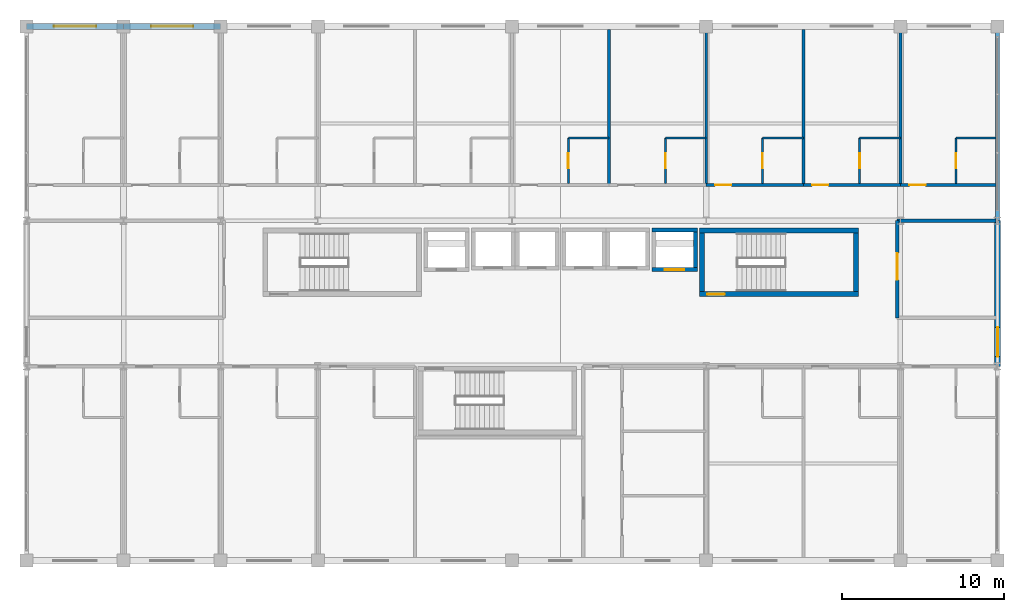
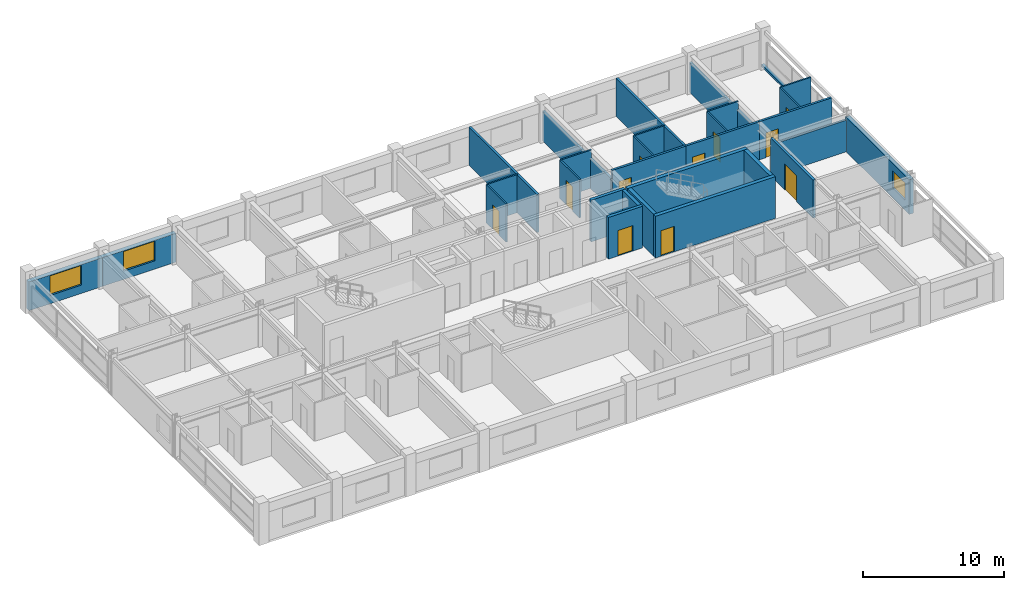
# One storey, part 24 of 26: 30 walls, 11 doors, 3 windows, 14 openings.
"""IFC4 building model written with IfcOpenShell, lengths in metres."""

from ifc_helpers import new_model, si_unit, direction, frame, frame_2d, origin, place, context, subcontext, project, spatial, rectangle, extrude, material, layer, layer_set, type_object, element, fill, save


model = new_model("IFC4")

# Units and contexts
model_context = context("Model", 3, precision=1e-05, world=origin(), true_north=direction((0.0, 1.0)))
body_context = subcontext(model_context, "Body", "Model", "MODEL_VIEW")
ifc_project = project(units=[si_unit("LENGTHUNIT", "METRE"), si_unit("AREAUNIT", "SQUARE_METRE"), si_unit("VOLUMEUNIT", "CUBIC_METRE"), si_unit("PLANEANGLEUNIT", "RADIAN"), si_unit("MASSUNIT", "GRAM", prefix="KILO")], contexts=[model_context])

# Site, building, storey
site_placement = place(None, origin())
site = spatial("IfcSite", under=ifc_project, at=site_placement, CompositionType="ELEMENT")
building_placement = place(site_placement, origin())
building = spatial("IfcBuilding", under=site, at=building_placement, Name="Kaldorvane Square Convention Centre", CompositionType="ELEMENT")
storey_placement = place(building_placement, frame((0.0, 0.0, 45.600006103515625)))
storey = spatial("IfcBuildingStorey", under=building, at=storey_placement, Name="L10", CompositionType="ELEMENT", Elevation=45.600006103515625)

# Wall, opening, door
ifc_material_1 = material(Name="Fire-Rated Gypsum Board on Acoustic Steel Studs", Category="steel")
ifc_layer_1 = layer(ifc_material_1, 0.125)
ifc_layer_set_1 = layer_set([ifc_layer_1], Name="Fire-Rated Gypsum Board on Acoustic Steel Studs")
wall_type_1 = type_object("IfcWallType", Name="WL-BATH-125", PredefinedType="PARTITIONING", material=ifc_layer_set_1)
wall_1_placement = place(storey_placement, frame((57.47999572753906, 107.28999328613281, 0.0), z_axis=(0.0, 0.0, 1.0), x_axis=(0.0, 1.0, 0.0)))
wall_1 = element("IfcWall", 1, at=wall_1_placement, inside=storey, type_object=wall_type_1, Name="En-Suite 1006 West Wall", PredefinedType="PARTITIONING", context=body_context, shape_type="SweptSolid", body=[
    extrude(rectangle(XDim=2.8100128173828125, YDim=0.125, at=frame_2d((1.404998779296875, 0.0))), origin(), (0.0, 0.0, 1.0), 3.2899932861328125),
])
opening_1_placement = place(wall_1_placement, frame((0.9499969482421875, 0.0, 0.0)))
opening_1 = element("IfcOpeningElement", 2, at=opening_1_placement, cuts=wall_1, Name="Opening ID-12", PredefinedType="OPENING", context=body_context, shape_type="SweptSolid", body=[
    extrude(rectangle(XDim=0.9199981689453125, YDim=2.100006103515625, at=frame_2d((0.459991455078125, 1.0500030517578125))), frame((0.0, 0.0774993896484375, 0.0), z_axis=(0.0, -1.0, 0.0), x_axis=(1.0, 0.0, 0.0)), (0.0, 0.0, 1.0), 0.154998779296875),
])
ifc_material_2 = material(Name="Architectural Solid-Core White Oak")
door_type_1 = type_object("IfcDoorType", Name="DR-BATH-0920X2100", OperationType="SINGLE_SWING_RIGHT", PredefinedType="DOOR", material=ifc_material_2)
door_1_placement = place(opening_1_placement, origin())
door_1 = element("IfcDoor", 3, at=door_1_placement, inside=storey, type_object=door_type_1, Name="En-Suite Bathroom 1006 Door", OperationType="SINGLE_SWING_RIGHT", OverallHeight=2.100006103515625, OverallWidth=0.9199981689453125, PredefinedType="DOOR", context=body_context, shape_type="SweptSolid", body=[
    extrude(rectangle(XDim=0.9199981689453125, YDim=2.100006103515625, at=frame_2d((0.459991455078125, 1.0500030517578125))), frame((0.0, 0.024993896484375, 0.0), z_axis=(0.0, -1.0, 0.0), x_axis=(1.0, 0.0, 0.0)), (0.0, 0.0, 1.0), 0.0500030517578125),
])
fill(opening_1, door_1)

# Wall
wall_2_placement = place(storey_placement, frame((57.47999572753906, 110.10000610351562, 0.0), z_axis=(0.0, 0.0, 1.0), x_axis=(1.0, 0.0, 0.0)))
element("IfcWall", 4, at=wall_2_placement, inside=storey, type_object=wall_type_1, Name="En-Suite 1006 North Wall", PredefinedType="PARTITIONING", context=body_context, shape_type="SweptSolid", body=[
    extrude(rectangle(XDim=2.5200042724609375, YDim=0.125, at=frame_2d((1.260009765625, 0.0))), origin(), (0.0, 0.0, 1.0), 3.2899932861328125),
])

# Wall, opening, door
wall_3_placement = place(storey_placement, frame((63.47999572753906, 107.28999328613281, 0.0), z_axis=(0.0, 0.0, 1.0), x_axis=(0.0, 1.0, 0.0)))
wall_3 = element("IfcWall", 5, at=wall_3_placement, inside=storey, type_object=wall_type_1, Name="En-Suite 1007 West Wall", PredefinedType="PARTITIONING", context=body_context, shape_type="SweptSolid", body=[
    extrude(rectangle(XDim=2.8100128173828125, YDim=0.125, at=frame_2d((1.404998779296875, 0.0))), origin(), (0.0, 0.0, 1.0), 3.2899932861328125),
])
opening_2_placement = place(wall_3_placement, frame((0.9499969482421875, 0.0, 0.0)))
opening_2 = element("IfcOpeningElement", 6, at=opening_2_placement, cuts=wall_3, Name="Opening ID-12", PredefinedType="OPENING", context=body_context, shape_type="SweptSolid", body=[
    extrude(rectangle(XDim=0.9199981689453125, YDim=2.100006103515625, at=frame_2d((0.459991455078125, 1.0500030517578125))), frame((0.0, 0.0774993896484375, 0.0), z_axis=(0.0, -1.0, 0.0), x_axis=(1.0, 0.0, 0.0)), (0.0, 0.0, 1.0), 0.154998779296875),
])
door_2_placement = place(opening_2_placement, origin())
door_2 = element("IfcDoor", 7, at=door_2_placement, inside=storey, type_object=door_type_1, Name="En-Suite Bathroom 1007 Door", OperationType="SINGLE_SWING_RIGHT", OverallHeight=2.100006103515625, OverallWidth=0.9199981689453125, PredefinedType="DOOR", context=body_context, shape_type="SweptSolid", body=[
    extrude(rectangle(XDim=0.9199981689453125, YDim=2.100006103515625, at=frame_2d((0.459991455078125, 1.0500030517578125))), frame((0.0, 0.024993896484375, 0.0), z_axis=(0.0, -1.0, 0.0), x_axis=(1.0, 0.0, 0.0)), (0.0, 0.0, 1.0), 0.0500030517578125),
])
fill(opening_2, door_2)

# Wall
wall_4_placement = place(storey_placement, frame((63.47999572753906, 110.10000610351562, 0.0), z_axis=(0.0, 0.0, 1.0), x_axis=(1.0, 0.0, 0.0)))
element("IfcWall", 8, at=wall_4_placement, inside=storey, type_object=wall_type_1, Name="En-Suite 1007 North Wall", PredefinedType="PARTITIONING", context=body_context, shape_type="SweptSolid", body=[
    extrude(rectangle(XDim=2.5200042724609375, YDim=0.125, at=frame_2d((1.260009765625, 0.0))), origin(), (0.0, 0.0, 1.0), 3.2899932861328125),
])

# Wall, opening, door
wall_5_placement = place(storey_placement, frame((69.47999572753906, 107.28999328613281, 0.0), z_axis=(0.0, 0.0, 1.0), x_axis=(0.0, 1.0, 0.0)))
wall_5 = element("IfcWall", 9, at=wall_5_placement, inside=storey, type_object=wall_type_1, Name="En-Suite 1008 West Wall", PredefinedType="PARTITIONING", context=body_context, shape_type="SweptSolid", body=[
    extrude(rectangle(XDim=2.8100128173828125, YDim=0.125, at=frame_2d((1.404998779296875, 0.0))), origin(), (0.0, 0.0, 1.0), 3.2899932861328125),
])
opening_3_placement = place(wall_5_placement, frame((0.9499969482421875, 0.0, 0.0)))
opening_3 = element("IfcOpeningElement", 10, at=opening_3_placement, cuts=wall_5, Name="Opening ID-12", PredefinedType="OPENING", context=body_context, shape_type="SweptSolid", body=[
    extrude(rectangle(XDim=0.9199981689453125, YDim=2.100006103515625, at=frame_2d((0.459991455078125, 1.0500030517578125))), frame((0.0, 0.0774993896484375, 0.0), z_axis=(0.0, -1.0, 0.0), x_axis=(1.0, 0.0, 0.0)), (0.0, 0.0, 1.0), 0.154998779296875),
])
door_3_placement = place(opening_3_placement, origin())
door_3 = element("IfcDoor", 11, at=door_3_placement, inside=storey, type_object=door_type_1, Name="En-Suite Bathroom 1008 Door", OperationType="SINGLE_SWING_RIGHT", OverallHeight=2.100006103515625, OverallWidth=0.9199981689453125, PredefinedType="DOOR", context=body_context, shape_type="SweptSolid", body=[
    extrude(rectangle(XDim=0.9199981689453125, YDim=2.100006103515625, at=frame_2d((0.459991455078125, 1.0500030517578125))), frame((0.0, 0.024993896484375, 0.0), z_axis=(0.0, -1.0, 0.0), x_axis=(1.0, 0.0, 0.0)), (0.0, 0.0, 1.0), 0.0500030517578125),
])
fill(opening_3, door_3)

# Wall
wall_6_placement = place(storey_placement, frame((69.47999572753906, 110.10000610351562, 0.0), z_axis=(0.0, 0.0, 1.0), x_axis=(1.0, 0.0, 0.0)))
element("IfcWall", 12, at=wall_6_placement, inside=storey, type_object=wall_type_1, Name="En-Suite 1008 North Wall", PredefinedType="PARTITIONING", context=body_context, shape_type="SweptSolid", body=[
    extrude(rectangle(XDim=2.5200042724609375, YDim=0.125, at=frame_2d((1.260009765625, 0.0))), origin(), (0.0, 0.0, 1.0), 3.2899932861328125),
])

# Wall, opening, door
wall_7_placement = place(storey_placement, frame((75.47999572753906, 107.28999328613281, 0.0), z_axis=(0.0, 0.0, 1.0), x_axis=(0.0, 1.0, 0.0)))
wall_7 = element("IfcWall", 13, at=wall_7_placement, inside=storey, type_object=wall_type_1, Name="En-Suite 1009 West Wall", PredefinedType="PARTITIONING", context=body_context, shape_type="SweptSolid", body=[
    extrude(rectangle(XDim=2.8100128173828125, YDim=0.125, at=frame_2d((1.404998779296875, 0.0))), origin(), (0.0, 0.0, 1.0), 3.2899932861328125),
])
opening_4_placement = place(wall_7_placement, frame((0.9499969482421875, 0.0, 0.0)))
opening_4 = element("IfcOpeningElement", 14, at=opening_4_placement, cuts=wall_7, Name="Opening ID-12", PredefinedType="OPENING", context=body_context, shape_type="SweptSolid", body=[
    extrude(rectangle(XDim=0.9199981689453125, YDim=2.100006103515625, at=frame_2d((0.459991455078125, 1.0500030517578125))), frame((0.0, 0.0774993896484375, 0.0), z_axis=(0.0, -1.0, 0.0), x_axis=(1.0, 0.0, 0.0)), (0.0, 0.0, 1.0), 0.154998779296875),
])
door_4_placement = place(opening_4_placement, origin())
door_4 = element("IfcDoor", 15, at=door_4_placement, inside=storey, type_object=door_type_1, Name="En-Suite Bathroom 1009 Door", OperationType="SINGLE_SWING_RIGHT", OverallHeight=2.100006103515625, OverallWidth=0.9199981689453125, PredefinedType="DOOR", context=body_context, shape_type="SweptSolid", body=[
    extrude(rectangle(XDim=0.9199981689453125, YDim=2.100006103515625, at=frame_2d((0.459991455078125, 1.0500030517578125))), frame((0.0, 0.024993896484375, 0.0), z_axis=(0.0, -1.0, 0.0), x_axis=(1.0, 0.0, 0.0)), (0.0, 0.0, 1.0), 0.0500030517578125),
])
fill(opening_4, door_4)

# Wall
wall_8_placement = place(storey_placement, frame((75.47999572753906, 110.10000610351562, 0.0), z_axis=(0.0, 0.0, 1.0), x_axis=(1.0, 0.0, 0.0)))
element("IfcWall", 16, at=wall_8_placement, inside=storey, type_object=wall_type_1, Name="En-Suite 1009 North Wall", PredefinedType="PARTITIONING", context=body_context, shape_type="SweptSolid", body=[
    extrude(rectangle(XDim=2.5200042724609375, YDim=0.125, at=frame_2d((1.260009765625, 0.0))), origin(), (0.0, 0.0, 1.0), 3.2899932861328125),
])

# Wall, opening, door
wall_9_placement = place(storey_placement, frame((81.43499755859375, 107.28999328613281, 0.0), z_axis=(0.0, 0.0, 1.0), x_axis=(0.0, 1.0, 0.0)))
wall_9 = element("IfcWall", 17, at=wall_9_placement, inside=storey, type_object=wall_type_1, Name="En-Suite 1010 West Wall", PredefinedType="PARTITIONING", context=body_context, shape_type="SweptSolid", body=[
    extrude(rectangle(XDim=2.8100128173828125, YDim=0.125, at=frame_2d((1.404998779296875, 0.0))), origin(), (0.0, 0.0, 1.0), 3.2899932861328125),
])
opening_5_placement = place(wall_9_placement, frame((0.9499969482421875, 0.0, 0.0)))
opening_5 = element("IfcOpeningElement", 18, at=opening_5_placement, cuts=wall_9, Name="Opening ID-12", PredefinedType="OPENING", context=body_context, shape_type="SweptSolid", body=[
    extrude(rectangle(XDim=0.9199981689453125, YDim=2.100006103515625, at=frame_2d((0.459991455078125, 1.0500030517578125))), frame((0.0, 0.0774993896484375, 0.0), z_axis=(0.0, -1.0, 0.0), x_axis=(1.0, 0.0, 0.0)), (0.0, 0.0, 1.0), 0.154998779296875),
])
door_5_placement = place(opening_5_placement, origin())
door_5 = element("IfcDoor", 19, at=door_5_placement, inside=storey, type_object=door_type_1, Name="En-Suite Bathroom 1010 Door", OperationType="SINGLE_SWING_RIGHT", OverallHeight=2.100006103515625, OverallWidth=0.9199981689453125, PredefinedType="DOOR", context=body_context, shape_type="SweptSolid", body=[
    extrude(rectangle(XDim=0.9199981689453125, YDim=2.100006103515625, at=frame_2d((0.459991455078125, 1.0500030517578125))), frame((0.0, 0.024993896484375, 0.0), z_axis=(0.0, -1.0, 0.0), x_axis=(1.0, 0.0, 0.0)), (0.0, 0.0, 1.0), 0.0500030517578125),
])
fill(opening_5, door_5)

# Walls
wall_10_placement = place(storey_placement, frame((81.43499755859375, 110.10000610351562, 0.0), z_axis=(0.0, 0.0, 1.0), x_axis=(1.0, 0.0, 0.0)))
element("IfcWall", 20, at=wall_10_placement, inside=storey, type_object=wall_type_1, Name="En-Suite 1010 North Wall", PredefinedType="PARTITIONING", context=body_context, shape_type="SweptSolid", body=[
    extrude(rectangle(XDim=2.4799957275390625, YDim=0.125, at=frame_2d((1.239990234375, 0.0))), origin(), (0.0, 0.0, 1.0), 3.2899932861328125),
])
ifc_layer_2 = layer(ifc_material_1, 0.1999969482421875)
ifc_layer_set_2 = layer_set([ifc_layer_2], Name="Fire-Rated Gypsum Board on Acoustic Steel Studs")
wall_type_2 = type_object("IfcWallType", Name="WL-CORR-200", PredefinedType="PARTITIONING", material=ifc_layer_set_2)
wall_11_placement = place(storey_placement, frame((83.91499328613281, 105.0, 0.0), z_axis=(0.0, 0.0, 1.0), x_axis=(-1.0, 0.0, 0.0)))
element("IfcWall", 21, at=wall_11_placement, inside=storey, type_object=wall_type_2, Name="East Square View Lounge (L10) N Wall", PredefinedType="PARTITIONING", context=body_context, shape_type="SweptSolid", body=[
    extrude(rectangle(XDim=6.114990234375, YDim=0.1999969482421875, at=frame_2d((3.0574951171875, 0.0))), origin(), (0.0, 0.0, 1.0), 2.735992431640625),
])

# Wall, opening, door
wall_12_placement = place(storey_placement, frame((77.80000305175781, 105.0, 0.0), z_axis=(0.0, 0.0, 1.0), x_axis=(0.0, -1.0, 0.0)))
wall_12 = element("IfcWall", 22, at=wall_12_placement, inside=storey, type_object=wall_type_2, Name="East Square View Lounge (L10) W Wall", PredefinedType="PARTITIONING", context=body_context, shape_type="SweptSolid", body=[
    extrude(rectangle(XDim=6.0, YDim=0.1999969482421875, at=frame_2d((3.0, 0.0))), origin(), (0.0, 0.0, 1.0), 3.2899932861328125),
])
opening_6_placement = place(wall_12_placement, frame((2.0, 0.0, 0.0)))
opening_6 = element("IfcOpeningElement", 23, at=opening_6_placement, cuts=wall_12, Name="Opening ID-16", PredefinedType="OPENING", context=body_context, shape_type="SweptSolid", body=[
    extrude(rectangle(XDim=1.649993896484375, YDim=2.25, at=frame_2d((0.8249969482421875, 1.125))), frame((0.0, 0.114990234375, 0.0), z_axis=(0.0, -1.0, 0.0), x_axis=(1.0, 0.0, 0.0)), (0.0, 0.0, 1.0), 0.2299957275390625),
])
ifc_material_3 = material(Name="Acoustic Laminated Glass in Aluminum Frame", Category="aluminium")
door_type_2 = type_object("IfcDoorType", Name="DR-GL-1650X2250", OperationType="DOUBLE_DOOR_SINGLE_SWING", PredefinedType="DOOR", material=ifc_material_3)
door_6_placement = place(opening_6_placement, origin())
door_6 = element("IfcDoor", 24, at=door_6_placement, inside=storey, type_object=door_type_2, Name="East Square View Lounge (L10) Door 1", OperationType="DOUBLE_DOOR_SINGLE_SWING", OverallHeight=2.25, OverallWidth=1.649993896484375, PredefinedType="DOOR", context=body_context, shape_type="SweptSolid", body=[
    extrude(rectangle(XDim=1.649993896484375, YDim=2.25, at=frame_2d((0.8249969482421875, 1.125))), frame((0.0, 0.024993896484375, 0.0), z_axis=(0.0, -1.0, 0.0), x_axis=(1.0, 0.0, 0.0)), (0.0, 0.0, 1.0), 0.0500030517578125),
])
fill(opening_6, door_6)

# Wall, opening, window
ifc_material_4 = material(Name="Concrete f'c = 42 MPa (Normalweight)", Category="concrete")
ifc_layer_3 = layer(ifc_material_4, 0.350006103515625)
ifc_layer_set_3 = layer_set([ifc_layer_3], Name="Concrete f'c = 42 MPa (Normalweight)")
wall_type_3 = type_object("IfcWallType", Name="WL-EXT-350", PredefinedType="STANDARD", material=ifc_layer_set_3)
wall_13_placement = place(storey_placement, frame((30.0, 117.0, 0.0), z_axis=(0.0, 0.0, 1.0), x_axis=(-1.0, 0.0, 0.0)))
wall_13 = element("IfcWall", 25, at=wall_13_placement, inside=storey, type_object=wall_type_3, Name="Hotel N Brutalist Facade Wall (L10)", PredefinedType="STANDARD", context=body_context, shape_type="SweptSolid", body=[
    extrude(rectangle(XDim=6.0, YDim=0.350006103515625, at=frame_2d((3.0, 0.0))), origin(), (0.0, 0.0, 1.0), 2.485992431640625),
])
opening_7_placement = place(wall_13_placement, frame((1.6999969482421875, 0.0, 0.720001220703125)))
opening_7 = element("IfcOpeningElement", 26, at=opening_7_placement, cuts=wall_13, Name="Opening W-05", PredefinedType="OPENING", context=body_context, shape_type="SweptSolid", body=[
    extrude(rectangle(XDim=2.600006103515625, YDim=1.69000244140625, at=frame_2d((1.3000030517578125, 0.845001220703125))), frame((0.0, 0.19000244140625, 0.0), z_axis=(0.0, -1.0, 0.0), x_axis=(1.0, 0.0, 0.0)), (0.0, 0.0, 1.0), 0.3800048828125),
])
ifc_material_5 = material(Name="Anodized Aluminum and Low-E Insulated Glazing", Category="aluminium")
window_type_1 = type_object("IfcWindowType", Name="WN-HTL-2600X1700", PartitioningType="DOUBLE_PANEL_VERTICAL", PredefinedType="WINDOW", material=ifc_material_5)
window_1_placement = place(opening_7_placement, origin())
window_1 = element("IfcWindow", 27, at=window_1_placement, inside=storey, type_object=window_type_1, Name="Hotel N Window (L10)", OverallHeight=1.69000244140625, OverallWidth=2.600006103515625, PartitioningType="DOUBLE_PANEL_VERTICAL", PredefinedType="WINDOW", context=body_context, shape_type="SweptSolid", body=[
    extrude(rectangle(XDim=2.600006103515625, YDim=1.69000244140625, at=frame_2d((1.3000030517578125, 0.845001220703125))), frame((0.0, 0.029998779296875, 0.0), z_axis=(0.0, -1.0, 0.0), x_axis=(1.0, 0.0, 0.0)), (0.0, 0.0, 1.0), 0.05999755859375),
])
fill(opening_7, window_1)

wall_14_placement = place(storey_placement, frame((36.0, 117.0, 0.0), z_axis=(0.0, 0.0, 1.0), x_axis=(-1.0, 0.0, 0.0)))
wall_14 = element("IfcWall", 28, at=wall_14_placement, inside=storey, type_object=wall_type_3, Name="Hotel N Brutalist Facade Wall (L10)", PredefinedType="STANDARD", context=body_context, shape_type="SweptSolid", body=[
    extrude(rectangle(XDim=6.0, YDim=0.350006103515625, at=frame_2d((3.0, 0.0))), origin(), (0.0, 0.0, 1.0), 2.485992431640625),
])
opening_8_placement = place(wall_14_placement, frame((1.6999969482421875, 0.0, 0.720001220703125)))
opening_8 = element("IfcOpeningElement", 29, at=opening_8_placement, cuts=wall_14, Name="Opening W-05", PredefinedType="OPENING", context=body_context, shape_type="SweptSolid", body=[
    extrude(rectangle(XDim=2.600006103515625, YDim=1.69000244140625, at=frame_2d((1.3000030517578125, 0.845001220703125))), frame((0.0, 0.19000244140625, 0.0), z_axis=(0.0, -1.0, 0.0), x_axis=(1.0, 0.0, 0.0)), (0.0, 0.0, 1.0), 0.3800048828125),
])
window_2_placement = place(opening_8_placement, origin())
window_2 = element("IfcWindow", 30, at=window_2_placement, inside=storey, type_object=window_type_1, Name="Hotel N Window (L10)", OverallHeight=1.69000244140625, OverallWidth=2.600006103515625, PartitioningType="DOUBLE_PANEL_VERTICAL", PredefinedType="WINDOW", context=body_context, shape_type="SweptSolid", body=[
    extrude(rectangle(XDim=2.600006103515625, YDim=1.69000244140625, at=frame_2d((1.3000030517578125, 0.845001220703125))), frame((0.0, 0.029998779296875, 0.0), z_axis=(0.0, -1.0, 0.0), x_axis=(1.0, 0.0, 0.0)), (0.0, 0.0, 1.0), 0.05999755859375),
])
fill(opening_8, window_2)

wall_15_placement = place(storey_placement, frame((84.0, 96.0, 0.0), z_axis=(0.0, 0.0, 1.0), x_axis=(0.0, 1.0, 0.0)))
wall_15 = element("IfcWall", 31, at=wall_15_placement, inside=storey, type_object=wall_type_3, Name="Hotel E End Wall (L10)", PredefinedType="STANDARD", context=body_context, shape_type="SweptSolid", body=[
    extrude(rectangle(XDim=9.0, YDim=0.350006103515625, at=frame_2d((4.5, 0.0))), origin(), (0.0, 0.0, 1.0), 2.980987548828125),
])
opening_9_placement = place(wall_15_placement, frame((0.600006103515625, 0.0, 0.850006103515625)))
opening_9 = element("IfcOpeningElement", 32, at=opening_9_placement, cuts=wall_15, Name="Opening W-11", PredefinedType="OPENING", context=body_context, shape_type="SweptSolid", body=[
    extrude(rectangle(XDim=1.8000030517578125, YDim=1.5, at=frame_2d((0.899993896484375, 0.75))), frame((0.0, 0.19000244140625, 0.0), z_axis=(0.0, -1.0, 0.0), x_axis=(1.0, 0.0, 0.0)), (0.0, 0.0, 1.0), 0.3800048828125),
])
window_type_2 = type_object("IfcWindowType", Name="WN-HTL-1800X1500", PartitioningType="SINGLE_PANEL", PredefinedType="WINDOW", material=ifc_material_5)
window_3_placement = place(opening_9_placement, origin())
window_3 = element("IfcWindow", 33, at=window_3_placement, inside=storey, type_object=window_type_2, Name="Hotel End Window E (L10)", OverallHeight=1.5, OverallWidth=1.8000030517578125, PartitioningType="SINGLE_PANEL", PredefinedType="WINDOW", context=body_context, shape_type="SweptSolid", body=[
    extrude(rectangle(XDim=1.8000030517578125, YDim=1.5, at=frame_2d((0.899993896484375, 0.75))), frame((0.0, 0.029998779296875, 0.0), z_axis=(0.0, -1.0, 0.0), x_axis=(1.0, 0.0, 0.0)), (0.0, 0.0, 1.0), 0.05999755859375),
])
fill(opening_9, window_3)

# Wall
ifc_material_6 = material(Name="Concrete f'c = 35 MPa (Normalweight)", Category="concrete")
ifc_layer_4 = layer(ifc_material_6, 0.220001220703125)
ifc_layer_set_4 = layer_set([ifc_layer_4], Name="Concrete f'c = 35 MPa (Normalweight)")
wall_type_4 = type_object("IfcWallType", Name="WL-PAR-220", PredefinedType="PARAPET", material=ifc_layer_set_4)
wall_16_placement = place(storey_placement, frame((84.0, 105.0, 0.0), z_axis=(0.0, 0.0, 1.0), x_axis=(0.0, 1.0, 0.0)))
element("IfcWall", 34, at=wall_16_placement, inside=storey, type_object=wall_type_4, Name="Hotel End Curtain-Wall Sill (L10)", PredefinedType="PARAPET", context=body_context, shape_type="SweptSolid", body=[
    extrude(rectangle(XDim=12.0, YDim=0.220001220703125, at=frame_2d((6.0, 0.0))), origin(), (0.0, 0.0, 1.0), 0.1999969482421875),
])

# Wall, opening, door
ifc_material_7 = material(Name="Concrete f'c = 55 MPa (Normalweight)", Category="concrete")
ifc_layer_5 = layer(ifc_material_7, 0.3000030517578125)
ifc_layer_set_5 = layer_set([ifc_layer_5], Name="Concrete f'c = 55 MPa (Normalweight)")
wall_type_5 = type_object("IfcWallType", Name="WL-SHAFT-300", PredefinedType="SHEAR", material=ifc_layer_set_5)
wall_17_placement = place(storey_placement, frame((65.60000610351562, 100.46000671386719, 0.0), z_axis=(0.0, 0.0, 1.0), x_axis=(1.0, 0.0, 0.0)))
wall_17 = element("IfcWall", 35, at=wall_17_placement, inside=storey, type_object=wall_type_5, Name="Core Enclosure Wall stair:ST-T2-S (L10)", PredefinedType="SHEAR", context=body_context, shape_type="SweptSolid", body=[
    extrude(rectangle(XDim=9.79998779296875, YDim=0.3000030517578125, at=frame_2d((4.899993896484375, 0.0))), origin(), (0.0, 0.0, 1.0), 3.5999908447265625),
])
opening_10_placement = place(wall_17_placement, frame((0.4499969482421875, 0.0, 0.0)))
opening_10 = element("IfcOpeningElement", 36, at=opening_10_placement, cuts=wall_17, Name="Opening FD90-S1", PredefinedType="OPENING", context=body_context, shape_type="SweptSolid", body=[
    extrude(rectangle(XDim=1.100006103515625, YDim=2.1999969482421875, at=frame_2d((0.5500030517578125, 1.100006103515625))), frame((0.0, 0.165008544921875, 0.0), z_axis=(0.0, -1.0, 0.0), x_axis=(1.0, 0.0, 0.0)), (0.0, 0.0, 1.0), 0.3300018310546875),
])
ifc_material_8 = material(Name="Fire-Rated Hollow Metal Steel", Category="steel")
door_type_3 = type_object("IfcDoorType", Name="DR-STAIR-1100", OperationType="SINGLE_SWING_RIGHT", PredefinedType="DOOR", material=ifc_material_8)
door_7_placement = place(opening_10_placement, origin())
door_7 = element("IfcDoor", 37, at=door_7_placement, inside=storey, type_object=door_type_3, Name="Tower Exit Stair T2 Fire Door (L10)", OperationType="SINGLE_SWING_RIGHT", OverallHeight=2.1999969482421875, OverallWidth=1.100006103515625, PredefinedType="DOOR", context=body_context, shape_type="SweptSolid", body=[
    extrude(rectangle(XDim=1.100006103515625, YDim=2.1999969482421875, at=frame_2d((0.5500030517578125, 1.100006103515625))), frame((0.0, 0.024993896484375, 0.0), z_axis=(0.0, -1.0, 0.0), x_axis=(1.0, 0.0, 0.0)), (0.0, 0.0, 1.0), 0.0500030517578125),
])
fill(opening_10, door_7)

# Walls
wall_18_placement = place(storey_placement, frame((75.39999389648438, 104.39999389648438, 0.0), z_axis=(0.0, 0.0, 1.0), x_axis=(-1.0, 0.0, 0.0)))
element("IfcWall", 38, at=wall_18_placement, inside=storey, type_object=wall_type_5, Name="Core Enclosure Wall stair:ST-T2-N (L10)", PredefinedType="SHEAR", context=body_context, shape_type="SweptSolid", body=[
    extrude(rectangle(XDim=9.79998779296875, YDim=0.3000030517578125, at=frame_2d((4.899993896484375, 0.0))), origin(), (0.0, 0.0, 1.0), 3.5999908447265625),
])
for number, where, z_axis, x_axis, name in (
    (39, (65.75, 104.25, 0.0), (0.0, 0.0, 1.0), (0.0, -1.0, 0.0), "Core Enclosure Wall stair:ST-T2-W (L10)"),
    (40, (75.25, 100.61000061035156, 0.0), (0.0, 0.0, 1.0), (0.0, 1.0, 0.0), "Core Enclosure Wall stair:ST-T2-E (L10)"),
):
    element("IfcWall", number, at=place(storey_placement, frame(where, z_axis=z_axis, x_axis=x_axis)), inside=storey, type_object=wall_type_5, Name=name, PredefinedType="SHEAR", context=body_context, shape_type="SweptSolid", body=[
        extrude(rectangle(XDim=3.6399993896484375, YDim=0.3000030517578125, at=frame_2d((1.82000732421875, 0.0))), origin(), (0.0, 0.0, 1.0), 3.5999908447265625),
    ])

# Wall, opening, door
wall_19_placement = place(storey_placement, frame((62.649993896484375, 101.97500610351562, 0.0), z_axis=(0.0, 0.0, 1.0), x_axis=(1.0, 0.0, 0.0)))
wall_19 = element("IfcWall", 41, at=wall_19_placement, inside=storey, type_object=wall_type_5, Name="Core Enclosure Wall lift:FSAE-02-S (L10)", PredefinedType="SHEAR", context=body_context, shape_type="SweptSolid", body=[
    extrude(rectangle(XDim=2.8000030517578125, YDim=0.25, at=frame_2d((1.399993896484375, 0.0))), origin(), (0.0, 0.0, 1.0), 3.5999908447265625),
])
opening_11_placement = place(wall_19_placement, frame((0.8000030517578125, 0.0, 0.0)))
opening_11 = element("IfcOpeningElement", 42, at=opening_11_placement, cuts=wall_19, Name="Opening LD-02", PredefinedType="OPENING", context=body_context, shape_type="SweptSolid", body=[
    extrude(rectangle(XDim=1.1999969482421875, YDim=2.1999969482421875, at=frame_2d((0.600006103515625, 1.100006103515625))), frame((0.0, 0.1399993896484375, 0.0), z_axis=(0.0, -1.0, 0.0), x_axis=(1.0, 0.0, 0.0)), (0.0, 0.0, 1.0), 0.279998779296875),
])
ifc_material_9 = material(Name="Stainless Steel Elevator Door Assembly", Category="steel")
door_type_4 = type_object("IfcDoorType", Name="DR-LIFT-1200", OperationType="DOUBLE_DOOR_SLIDING", PredefinedType="DOOR", material=ifc_material_9)
door_8_placement = place(opening_11_placement, origin())
door_8 = element("IfcDoor", 43, at=door_8_placement, inside=storey, type_object=door_type_4, Name="Elevator Landing Door FSAE-02 (L10)", OperationType="DOUBLE_DOOR_SLIDING", OverallHeight=2.1999969482421875, OverallWidth=1.1999969482421875, PredefinedType="DOOR", context=body_context, shape_type="SweptSolid", body=[
    extrude(rectangle(XDim=1.1999969482421875, YDim=2.1999969482421875, at=frame_2d((0.600006103515625, 1.100006103515625))), frame((0.0, 0.024993896484375, 0.0), z_axis=(0.0, -1.0, 0.0), x_axis=(1.0, 0.0, 0.0)), (0.0, 0.0, 1.0), 0.0500030517578125),
])
fill(opening_11, door_8)

# Walls
wall_20_placement = place(storey_placement, frame((65.44999694824219, 104.42500305175781, 0.0), z_axis=(0.0, 0.0, 1.0), x_axis=(-1.0, 0.0, 0.0)))
element("IfcWall", 44, at=wall_20_placement, inside=storey, type_object=wall_type_5, Name="Core Enclosure Wall lift:FSAE-02-N (L10)", PredefinedType="SHEAR", context=body_context, shape_type="SweptSolid", body=[
    extrude(rectangle(XDim=2.8000030517578125, YDim=0.25, at=frame_2d((1.399993896484375, 0.0))), origin(), (0.0, 0.0, 1.0), 3.5999908447265625),
])
wall_21_placement = place(storey_placement, frame((65.32499694824219, 102.10000610351562, 0.0), z_axis=(0.0, 0.0, 1.0), x_axis=(0.0, 1.0, 0.0)))
element("IfcWall", 45, at=wall_21_placement, inside=storey, type_object=wall_type_5, Name="Core Enclosure Wall lift:FSAE-02-E (L10)", PredefinedType="SHEAR", context=body_context, shape_type="SweptSolid", body=[
    extrude(rectangle(XDim=2.1999969482421875, YDim=0.25, at=frame_2d((1.100006103515625, 0.0))), origin(), (0.0, 0.0, 1.0), 3.5999908447265625),
])
ifc_layer_6 = layer(ifc_material_1, 0.17999267578125)
ifc_layer_set_6 = layer_set([ifc_layer_6], Name="Fire-Rated Gypsum Board on Acoustic Steel Studs")
wall_type_6 = type_object("IfcWallType", Name="WL-UNIT-180", PredefinedType="PARTITIONING", material=ifc_layer_set_6)
wall_22_placement = place(storey_placement, frame((60.0, 107.19999694824219, 0.0), z_axis=(0.0, 0.0, 1.0), x_axis=(0.0, 1.0, 0.0)))
element("IfcWall", 46, at=wall_22_placement, inside=storey, type_object=wall_type_6, Name="Guestroom Demising Wall 1006", PredefinedType="PARTITIONING", context=body_context, shape_type="SweptSolid", body=[
    extrude(rectangle(XDim=9.625, YDim=0.17999267578125, at=frame_2d((4.8125, 0.0))), origin(), (0.0, 0.0, 1.0), 3.2899932861328125),
])
wall_23_placement = place(storey_placement, frame((66.0, 107.19999694824219, 0.0), z_axis=(0.0, 0.0, 1.0), x_axis=(0.0, 1.0, 0.0)))
element("IfcWall", 47, at=wall_23_placement, inside=storey, type_object=wall_type_6, Name="Guestroom Demising Wall 1007", PredefinedType="PARTITIONING", context=body_context, shape_type="SweptSolid", body=[
    extrude(rectangle(XDim=9.625, YDim=0.17999267578125, at=frame_2d((4.8125, 0.0))), origin(), (0.0, 0.0, 1.0), 2.589996337890625),
])

# Wall, opening, door
wall_24_placement = place(storey_placement, frame((66.0, 107.19999694824219, 0.0), z_axis=(0.0, 0.0, 1.0), x_axis=(1.0, 0.0, 0.0)))
wall_24 = element("IfcWall", 48, at=wall_24_placement, inside=storey, type_object=wall_type_6, Name="Hotel Guest Room 1008 Corridor Wall", PredefinedType="PARTITIONING", context=body_context, shape_type="SweptSolid", body=[
    extrude(rectangle(XDim=6.0, YDim=0.17999267578125, at=frame_2d((3.0, 0.0))), origin(), (0.0, 0.0, 1.0), 3.2899932861328125),
])
opening_12_placement = place(wall_24_placement, frame((0.5500030517578125, 0.0, 0.0)))
opening_12 = element("IfcOpeningElement", 49, at=opening_12_placement, cuts=wall_24, Name="Opening ID-10", PredefinedType="OPENING", context=body_context, shape_type="SweptSolid", body=[
    extrude(rectangle(XDim=1.0, YDim=2.149993896484375, at=frame_2d((0.5, 1.0749969482421875))), frame((0.0, 0.1049957275390625, 0.0), z_axis=(0.0, -1.0, 0.0), x_axis=(1.0, 0.0, 0.0)), (0.0, 0.0, 1.0), 0.209991455078125),
])
door_type_5 = type_object("IfcDoorType", Name="DR-GUEST-1000X2150", OperationType="SINGLE_SWING_LEFT", PredefinedType="DOOR", material=ifc_material_2)
door_9_placement = place(opening_12_placement, origin())
door_9 = element("IfcDoor", 50, at=door_9_placement, inside=storey, type_object=door_type_5, Name="Hotel Guest Room 1008 Entry Door", OperationType="SINGLE_SWING_LEFT", OverallHeight=2.149993896484375, OverallWidth=1.0, PredefinedType="DOOR", context=body_context, shape_type="SweptSolid", body=[
    extrude(rectangle(XDim=1.0, YDim=2.149993896484375, at=frame_2d((0.5, 1.0749969482421875))), frame((0.0, 0.024993896484375, 0.0), z_axis=(0.0, -1.0, 0.0), x_axis=(1.0, 0.0, 0.0)), (0.0, 0.0, 1.0), 0.0500030517578125),
])
fill(opening_12, door_9)

# Wall
wall_25_placement = place(storey_placement, frame((72.0, 107.19999694824219, 0.0), z_axis=(0.0, 0.0, 1.0), x_axis=(0.0, 1.0, 0.0)))
element("IfcWall", 51, at=wall_25_placement, inside=storey, type_object=wall_type_6, Name="Guestroom Demising Wall 1008", PredefinedType="PARTITIONING", context=body_context, shape_type="SweptSolid", body=[
    extrude(rectangle(XDim=9.625, YDim=0.17999267578125, at=frame_2d((4.8125, 0.0))), origin(), (0.0, 0.0, 1.0), 3.2899932861328125),
])

# Wall, opening, door
wall_26_placement = place(storey_placement, frame((72.0, 107.19999694824219, 0.0), z_axis=(0.0, 0.0, 1.0), x_axis=(1.0, 0.0, 0.0)))
wall_26 = element("IfcWall", 52, at=wall_26_placement, inside=storey, type_object=wall_type_6, Name="Hotel Guest Room 1009 Corridor Wall", PredefinedType="PARTITIONING", context=body_context, shape_type="SweptSolid", body=[
    extrude(rectangle(XDim=6.0, YDim=0.17999267578125, at=frame_2d((3.0, 0.0))), origin(), (0.0, 0.0, 1.0), 3.2899932861328125),
])
opening_13_placement = place(wall_26_placement, frame((0.5500030517578125, 0.0, 0.0)))
opening_13 = element("IfcOpeningElement", 53, at=opening_13_placement, cuts=wall_26, Name="Opening ID-10", PredefinedType="OPENING", context=body_context, shape_type="SweptSolid", body=[
    extrude(rectangle(XDim=1.0, YDim=2.149993896484375, at=frame_2d((0.5, 1.0749969482421875))), frame((0.0, 0.1049957275390625, 0.0), z_axis=(0.0, -1.0, 0.0), x_axis=(1.0, 0.0, 0.0)), (0.0, 0.0, 1.0), 0.209991455078125),
])
door_10_placement = place(opening_13_placement, origin())
door_10 = element("IfcDoor", 54, at=door_10_placement, inside=storey, type_object=door_type_5, Name="Hotel Guest Room 1009 Entry Door", OperationType="SINGLE_SWING_LEFT", OverallHeight=2.149993896484375, OverallWidth=1.0, PredefinedType="DOOR", context=body_context, shape_type="SweptSolid", body=[
    extrude(rectangle(XDim=1.0, YDim=2.149993896484375, at=frame_2d((0.5, 1.0749969482421875))), frame((0.0, 0.024993896484375, 0.0), z_axis=(0.0, -1.0, 0.0), x_axis=(1.0, 0.0, 0.0)), (0.0, 0.0, 1.0), 0.0500030517578125),
])
fill(opening_13, door_10)

# Wall
wall_27_placement = place(storey_placement, frame((78.0, 107.19999694824219, 0.0), z_axis=(0.0, 0.0, 1.0), x_axis=(0.0, 1.0, 0.0)))
element("IfcWall", 55, at=wall_27_placement, inside=storey, type_object=wall_type_6, Name="Guestroom Demising Wall 1009", PredefinedType="PARTITIONING", context=body_context, shape_type="SweptSolid", body=[
    extrude(rectangle(XDim=9.625, YDim=0.17999267578125, at=frame_2d((4.8125, 0.0))), origin(), (0.0, 0.0, 1.0), 2.589996337890625),
])

# Wall, opening, door
wall_28_placement = place(storey_placement, frame((78.0, 107.19999694824219, 0.0), z_axis=(0.0, 0.0, 1.0), x_axis=(1.0, 0.0, 0.0)))
wall_28 = element("IfcWall", 56, at=wall_28_placement, inside=storey, type_object=wall_type_6, Name="Hotel Guest Room 1010 Corridor Wall", PredefinedType="PARTITIONING", context=body_context, shape_type="SweptSolid", body=[
    extrude(rectangle(XDim=5.9149932861328125, YDim=0.17999267578125, at=frame_2d((2.957489013671875, 0.0))), origin(), (0.0, 0.0, 1.0), 3.2899932861328125),
])
opening_14_placement = place(wall_28_placement, frame((0.5500030517578125, 0.0, 0.0)))
opening_14 = element("IfcOpeningElement", 57, at=opening_14_placement, cuts=wall_28, Name="Opening ID-10", PredefinedType="OPENING", context=body_context, shape_type="SweptSolid", body=[
    extrude(rectangle(XDim=1.0, YDim=2.149993896484375, at=frame_2d((0.5, 1.0749969482421875))), frame((0.0, 0.1049957275390625, 0.0), z_axis=(0.0, -1.0, 0.0), x_axis=(1.0, 0.0, 0.0)), (0.0, 0.0, 1.0), 0.209991455078125),
])
door_11_placement = place(opening_14_placement, origin())
door_11 = element("IfcDoor", 58, at=door_11_placement, inside=storey, type_object=door_type_5, Name="Hotel Guest Room 1010 Entry Door", OperationType="SINGLE_SWING_LEFT", OverallHeight=2.149993896484375, OverallWidth=1.0, PredefinedType="DOOR", context=body_context, shape_type="SweptSolid", body=[
    extrude(rectangle(XDim=1.0, YDim=2.149993896484375, at=frame_2d((0.5, 1.0749969482421875))), frame((0.0, 0.024993896484375, 0.0), z_axis=(0.0, -1.0, 0.0), x_axis=(1.0, 0.0, 0.0)), (0.0, 0.0, 1.0), 0.0500030517578125),
])
fill(opening_14, door_11)

save(model, "model.ifc")
